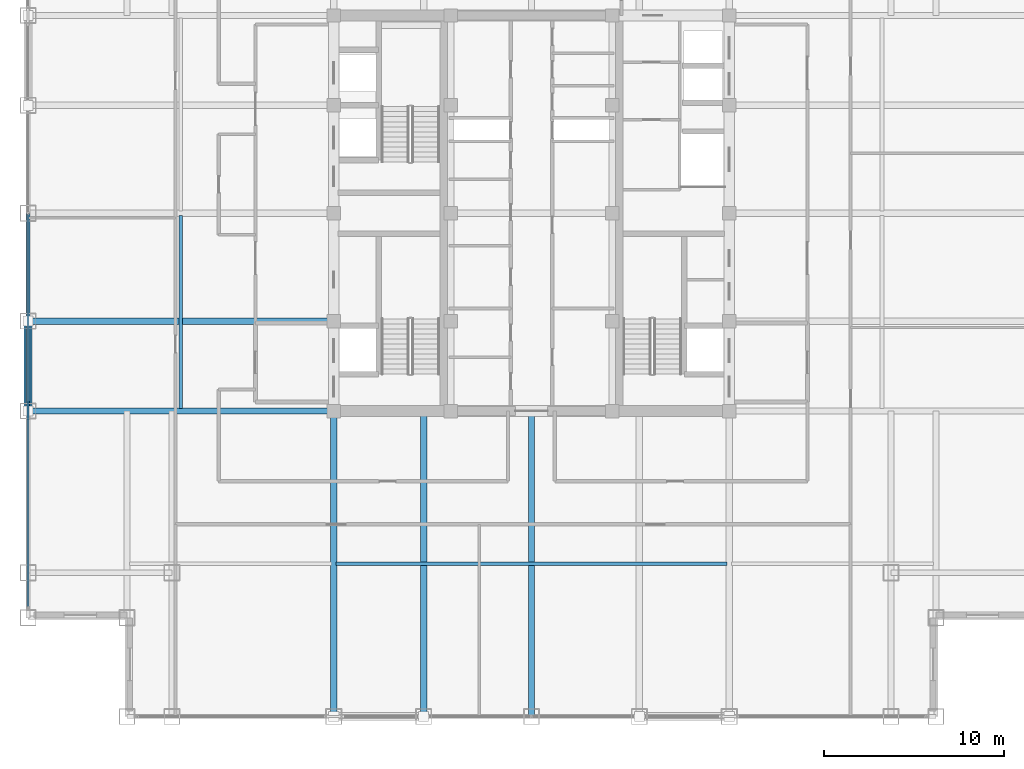
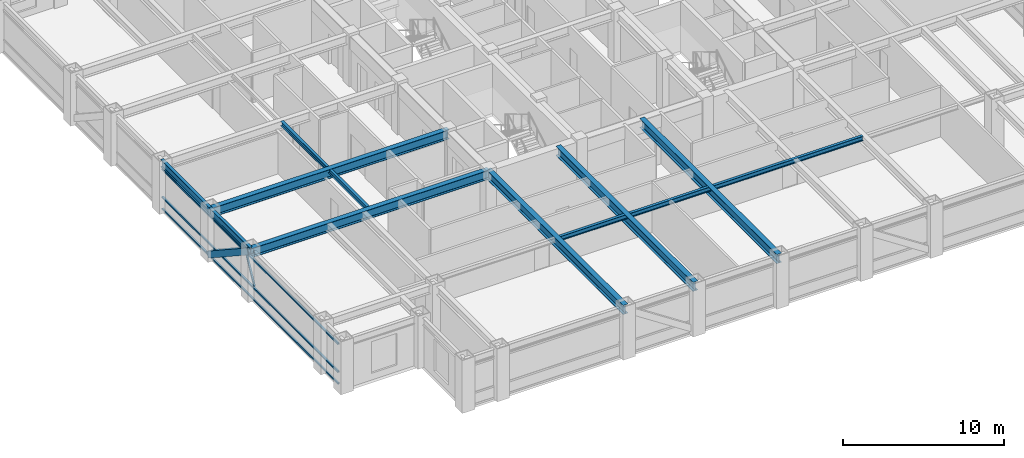
# One storey, part 5 of 22: 9 beams, 5 members, 1 element without a shape of its own.
"""IFC4 building model written with IfcOpenShell, lengths in metres."""

from ifc_helpers import new_model, si_unit, direction, frame, origin, origin_2d, place, context, subcontext, project, spatial, hollow_rectangle, i_section, extrude, source, transform, mapped, material, material_profile, profile_set, type_object, element, aggregate, save


model = new_model("IFC4")

# Units and contexts
model_context = context("Model", 3, precision=1e-05, world=origin(), true_north=direction((0.0, 1.0)))
body_context = subcontext(model_context, "Body", "Model", "MODEL_VIEW")
ifc_project = project(units=[si_unit("LENGTHUNIT", "METRE"), si_unit("AREAUNIT", "SQUARE_METRE"), si_unit("VOLUMEUNIT", "CUBIC_METRE"), si_unit("PLANEANGLEUNIT", "RADIAN"), si_unit("MASSUNIT", "GRAM", prefix="KILO")], contexts=[model_context])

# Site, building, storey
site_placement = place(None, origin())
site = spatial("IfcSite", under=ifc_project, at=site_placement, CompositionType="ELEMENT")
building_placement = place(site_placement, origin())
building = spatial("IfcBuilding", under=site, at=building_placement, Name="Khorayat Bourse Tower", CompositionType="ELEMENT")
storey_placement = place(building_placement, frame((0.0, 0.0, 301.5)))
storey = spatial("IfcBuildingStorey", under=building, at=storey_placement, Name="L71", CompositionType="ELEMENT", Elevation=301.5)

# Member
ifc_material_1 = material(Name="Steel EN 10025-4 S460M", Category="steel")
ifc_material_profile_1 = material_profile(ifc_material_1, hollow_rectangle(XDim=0.449951171875, YDim=0.449951171875, WallThickness=0.02490234375, at=origin_2d()), Name="HSS 450x450x25")
ifc_profile_set_1 = profile_set([ifc_material_profile_1], Name="Steel EN 10025-4 S460M")
member_type_1 = type_object("IfcMemberType", Name="MBR-TUBE-450", PredefinedType="BRACE", material=ifc_profile_set_1)
shared_shape_1 = source(origin(), body_context, "Body", "SweptSolid", [
    extrude(hollow_rectangle(XDim=0.449951171875, YDim=0.449951171875, WallThickness=0.02490234375, at=origin_2d()), origin(), (0.0, 0.0, 1.0), 5.979736328125),
])
member_1_placement = place(storey_placement, frame((-28.0, -11.0, 3.530029296875), z_axis=(0.0, 0.836141536525, -0.548513747227), x_axis=(-1.0, 0.0, 0.0)))
element("IfcMember", 1, at=member_1_placement, inside=storey, type_object=member_type_1, Name="L71 Perimeter Tube Brace 05", PredefinedType="BRACE", context=body_context, shape_type="MappedRepresentation", body=[
    mapped(shared_shape_1, transform((0.0, 0.0, 0.0), scale=1.0)),
])

# Beams
ifc_material_2 = material(Name="Steel ASTM A992 Grade 50", Category="steel")
ifc_material_profile_2 = material_profile(ifc_material_2, i_section(OverallWidth=0.35498046875, OverallDepth=0.695068359375, WebThickness=0.015380859375, FlangeThickness=0.02490234375, FilletRadius=0.01806640625, at=origin_2d()), Name="W690X217")
ifc_profile_set_2 = profile_set([ifc_material_profile_2], Name="Steel ASTM A992 Grade 50")
beam_type_1 = type_object("IfcBeamType", Name="BM-GIRD-690", PredefinedType="BEAM", material=ifc_profile_set_2)
shared_shape_2 = source(origin(), body_context, "Body", "SweptSolid", [
    extrude(i_section(OverallWidth=0.35498046875, OverallDepth=0.695068359375, WebThickness=0.015380859375, FlangeThickness=0.02490234375, FilletRadius=0.01806640625, at=origin_2d()), origin(), (0.0, 0.0, 1.0), 17.0),
])
for number, where, z_axis, x_axis, name in (
    (2, (-11.0, -28.0, 3.4326171875), (0.0, 1.0, 0.0), (-1.0, 0.0, 0.0), "L71 BM-GIRD-690 BM-L71-RADY-065"),
    (3, (-6.0, -28.0, 3.4326171875), (0.0, 1.0, 0.0), (-1.0, 0.0, 0.0), "L71 BM-GIRD-690 BM-L71-RADY-067"),
    (4, (0.0, -28.0, 3.4326171875), (0.0, 1.0, 0.0), (-1.0, 0.0, 0.0), "L71 BM-GIRD-690 BM-L71-RADY-069"),
    (5, (-28.0, -11.0, 3.4326171875), (1.0, 0.0, 0.0), (0.0, 1.0, 0.0), "L71 BM-GIRD-690 BM-L71-RADX-075"),
    (6, (-28.0, -6.0, 3.4326171875), (1.0, 0.0, 0.0), (0.0, 1.0, 0.0), "L71 BM-GIRD-690 BM-L71-RADX-077"),
):
    element("IfcBeam", number, at=place(storey_placement, frame(where, z_axis=z_axis, x_axis=x_axis)), inside=storey, type_object=beam_type_1, Name=name, PredefinedType="BEAM", context=body_context, shape_type="MappedRepresentation", body=[
        mapped(shared_shape_2, transform((0.0, 0.0, 0.0), scale=1.0)),
    ])
ifc_material_profile_3 = material_profile(ifc_material_2, i_section(OverallWidth=0.202880859375, OverallDepth=0.346923828125, WebThickness=0.0078125, FlangeThickness=0.013427734375, FilletRadius=0.010009765625, at=origin_2d()), Name="W360X64")
ifc_profile_set_3 = profile_set([ifc_material_profile_3], Name="Steel ASTM A992 Grade 50")
beam_type_2 = type_object("IfcBeamType", Name="BM-JOIST-360", PredefinedType="JOIST", material=ifc_profile_set_3)
shared_shape_3 = source(origin(), body_context, "Body", "SweptSolid", [
    extrude(i_section(OverallWidth=0.202880859375, OverallDepth=0.346923828125, WebThickness=0.0078125, FlangeThickness=0.013427734375, FilletRadius=0.010009765625, at=origin_2d()), origin(), (0.0, 0.0, 1.0), 21.740234375),
])
beam_1_placement = place(storey_placement, frame((-10.8701171875, -19.5, 3.6064453125), z_axis=(1.0, 0.0, 0.0), x_axis=(0.0, 1.0, 0.0)))
element("IfcBeam", 7, at=beam_1_placement, inside=storey, type_object=beam_type_2, Name="L71 BM-JOIST-360 BM-L71-JSTX-097", PredefinedType="JOIST", context=body_context, shape_type="MappedRepresentation", body=[
    mapped(shared_shape_3, transform((0.0, 0.0, 0.0), scale=1.0)),
])
shared_shape_4 = source(origin(), body_context, "Body", "SweptSolid", [
    extrude(i_section(OverallWidth=0.202880859375, OverallDepth=0.346923828125, WebThickness=0.0078125, FlangeThickness=0.013427734375, FilletRadius=0.010009765625, at=origin_2d()), origin(), (0.0, 0.0, 1.0), 10.740234375),
])
beam_2_placement = place(storey_placement, frame((-19.5, -10.8701171875, 3.6064453125), z_axis=(0.0, 1.0, 0.0), x_axis=(-1.0, 0.0, 0.0)))
element("IfcBeam", 8, at=beam_2_placement, inside=storey, type_object=beam_type_2, Name="L71 BM-JOIST-360 BM-L71-JSTY-102", PredefinedType="JOIST", context=body_context, shape_type="MappedRepresentation", body=[
    mapped(shared_shape_4, transform((0.0, 0.0, 0.0), scale=1.0)),
])
ifc_material_profile_4 = material_profile(ifc_material_2, i_section(OverallWidth=0.214111328125, OverallDepth=0.549072265625, WebThickness=0.0146484375, FlangeThickness=0.023681640625, FilletRadius=0.013916015625, at=origin_2d()), Name="W530X138")
ifc_profile_set_4 = profile_set([ifc_material_profile_4], Name="Steel ASTM A992 Grade 50")
beam_type_3 = type_object("IfcBeamType", Name="BM-SPAN-530", PredefinedType="SPANDREL", material=ifc_profile_set_4)
shared_shape_5 = source(origin(), body_context, "Body", "SweptSolid", [
    extrude(i_section(OverallWidth=0.214111328125, OverallDepth=0.549072265625, WebThickness=0.0146484375, FlangeThickness=0.023681640625, FilletRadius=0.013916015625, at=origin_2d()), origin(), (0.0, 0.0, 1.0), 5.0),
])
beam_3_placement = place(storey_placement, frame((-28.0, -11.0, 3.505615234375), z_axis=(0.0, 1.0, 0.0), x_axis=(-1.0, 0.0, 0.0)))
element("IfcBeam", 9, at=beam_3_placement, inside=storey, type_object=beam_type_3, Name="L71 BM-SPAN-530 BM-L71-SPN-059", PredefinedType="SPANDREL", context=body_context, shape_type="MappedRepresentation", body=[
    mapped(shared_shape_5, transform((0.0, 0.0, 0.0), scale=1.0)),
])
shared_shape_6 = source(origin(), body_context, "Body", "SweptSolid", [
    extrude(i_section(OverallWidth=0.214111328125, OverallDepth=0.549072265625, WebThickness=0.0146484375, FlangeThickness=0.023681640625, FilletRadius=0.013916015625, at=origin_2d()), origin(), (0.0, 0.0, 1.0), 6.0),
])
beam_4_placement = place(storey_placement, frame((-28.0, -6.0, 3.505615234375), z_axis=(0.0, 1.0, 0.0), x_axis=(-1.0, 0.0, 0.0)))
element("IfcBeam", 10, at=beam_4_placement, inside=storey, type_object=beam_type_3, Name="L71 BM-SPAN-530 BM-L71-SPN-058", PredefinedType="SPANDREL", context=body_context, shape_type="MappedRepresentation", body=[
    mapped(shared_shape_6, transform((0.0, 0.0, 0.0), scale=1.0)),
])

# Curtain wall, members
ifc_material_3 = material(Name="Aluminium EN AW-6063 T6", Category="aluminium")
curtain_wall_type = type_object("IfcCurtainWallType", Name="CW-SYS-04", PredefinedType="NOTDEFINED", material=ifc_material_3)
curtain_wall_placement = place(storey_placement, origin())
curtain_wall = element("IfcCurtainWall", 11, at=curtain_wall_placement, inside=storey, type_object=curtain_wall_type, Name="L71 Curtain Wall CW-L71-W1", PredefinedType="NOTDEFINED")
ifc_material_profile_5 = material_profile(ifc_material_3, hollow_rectangle(XDim=0.1201171875, YDim=0.1201171875, WallThickness=0.0048828125, at=origin_2d()), Name="ALU 120x120x5")
ifc_profile_set_5 = profile_set([ifc_material_profile_5], Name="Aluminium EN AW-6063 T6")
member_type_2 = type_object("IfcMemberType", Name="CWM-DIAG-120", PredefinedType="MULLION", material=ifc_profile_set_5)
shared_shape_7 = source(origin(), body_context, "Body", "SweptSolid", [
    extrude(hollow_rectangle(XDim=0.1201171875, YDim=0.1201171875, WallThickness=0.0048828125, at=origin_2d()), origin(), (0.0, 0.0, 1.0), 2.0791015625),
])
member_2_placement = place(storey_placement, frame((-28.0, -11.4541015625, 1.090087890625), z_axis=(0.0, 0.465717394116, 0.884933505309), x_axis=(-1.0, 0.0, 0.0)))
member_2 = element("IfcMember", 12, at=member_2_placement, type_object=member_type_2, Name="CW-L71-W1 Faceted Diagonal Mullion 1", PredefinedType="MULLION", context=body_context, shape_type="MappedRepresentation", body=[
    mapped(shared_shape_7, transform((0.0, 0.0, 0.0), scale=1.0)),
])
ifc_material_profile_6 = material_profile(ifc_material_3, hollow_rectangle(XDim=0.1201171875, YDim=0.1201171875, WallThickness=0.0048828125, at=origin_2d()), Name="ALU 120x120x5")
ifc_profile_set_6 = profile_set([ifc_material_profile_6], Name="Aluminium EN AW-6063 T6")
member_type_3 = type_object("IfcMemberType", Name="CWT-HORZ-120", PredefinedType="USERDEFINED", material=ifc_profile_set_6)
shared_shape_8 = source(origin(), body_context, "Body", "SweptSolid", [
    extrude(hollow_rectangle(XDim=0.1201171875, YDim=0.1201171875, WallThickness=0.0048828125, at=origin_2d()), origin(), (0.0, 0.0, 1.0), 21.81982421875),
])
member_3_placement = place(storey_placement, frame((-28.0, -21.8798828125, 0.06005859375), z_axis=(0.0, 1.0, 0.0), x_axis=(-1.0, 0.0, 0.0)))
member_3 = element("IfcMember", 13, at=member_3_placement, type_object=member_type_3, Name="CW-L71-W1 Horizontal Transom 1-1", ObjectType="TRANSOM", PredefinedType="USERDEFINED", context=body_context, shape_type="MappedRepresentation", body=[
    mapped(shared_shape_8, transform((0.0, 0.0, 0.0), scale=1.0)),
])
member_4_placement = place(storey_placement, frame((-28.0, -21.8798828125, 0.949951171875), z_axis=(0.0, 1.0, 0.0), x_axis=(-1.0, 0.0, 0.0)))
member_4 = element("IfcMember", 14, at=member_4_placement, type_object=member_type_3, Name="CW-L71-W1 Horizontal Transom 1-2", ObjectType="TRANSOM", PredefinedType="USERDEFINED", context=body_context, shape_type="MappedRepresentation", body=[
    mapped(shared_shape_8, transform((0.0, 0.0, 0.0), scale=1.0)),
])
member_5_placement = place(storey_placement, frame((-28.0, -21.8798828125, 3.070068359375), z_axis=(0.0, 1.0, 0.0), x_axis=(-1.0, 0.0, 0.0)))
member_5 = element("IfcMember", 15, at=member_5_placement, type_object=member_type_3, Name="CW-L71-W1 Horizontal Transom 1-3", ObjectType="TRANSOM", PredefinedType="USERDEFINED", context=body_context, shape_type="MappedRepresentation", body=[
    mapped(shared_shape_8, transform((0.0, 0.0, 0.0), scale=1.0)),
])
aggregate(curtain_wall, [member_3, member_4, member_5, member_2])

save(model, "model.ifc")
